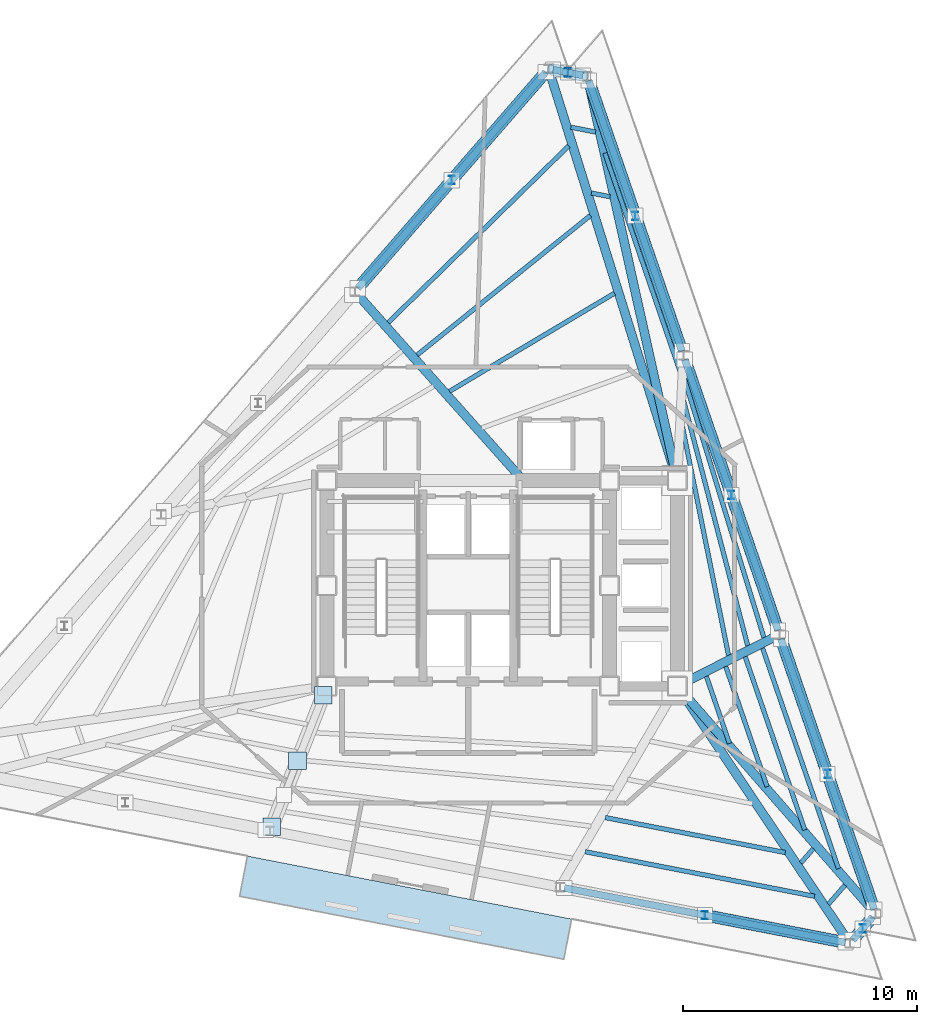
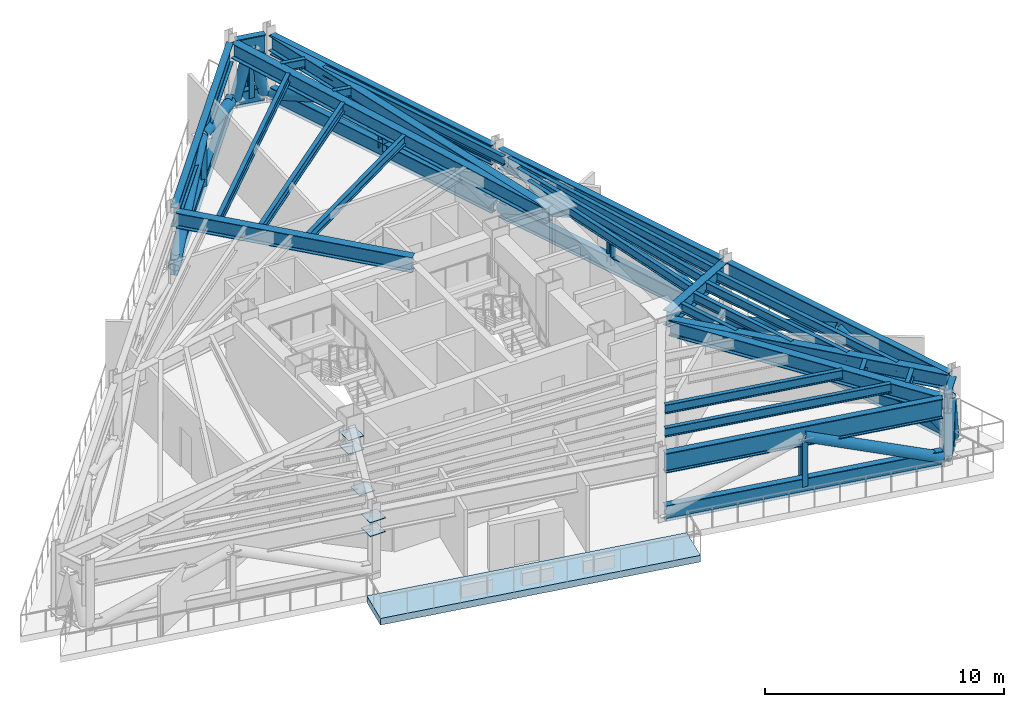
# One storey, part 3 of 8: 30 beams, 27 members, 5 plates, 1 slab.
"""IFC4 building model written with IfcOpenShell, lengths in metres."""

from ifc_helpers import new_model, si_unit, direction, frame, origin, origin_2d, place, context, subcontext, project, spatial, polyline, rectangle, hollow_circle, i_section, outline, extrude, material, layer, layer_set, material_profile, profile_set, type_object, element, save


model = new_model("IFC4")

# Units and contexts
model_context = context("Model", 3, precision=1e-05, world=origin(), true_north=direction((0.0, 1.0)))
body_context = subcontext(model_context, "Body", "Model", "MODEL_VIEW")
ifc_project = project(units=[si_unit("LENGTHUNIT", "METRE"), si_unit("AREAUNIT", "SQUARE_METRE"), si_unit("VOLUMEUNIT", "CUBIC_METRE"), si_unit("PLANEANGLEUNIT", "RADIAN"), si_unit("MASSUNIT", "GRAM", prefix="KILO")], contexts=[model_context])

# Site, building, storey
site_placement = place(None, origin())
site = spatial("IfcSite", under=ifc_project, at=site_placement, CompositionType="ELEMENT")
building_placement = place(site_placement, origin())
building = spatial("IfcBuilding", under=site, at=building_placement, Name="Rocaltana Carrier Exchange", CompositionType="ELEMENT")
storey_placement = place(building_placement, frame((0.0, 0.0, 171.52001953125)))
storey = spatial("IfcBuildingStorey", under=building, at=storey_placement, Name="L54", CompositionType="ELEMENT", Elevation=171.52001953125)

# Members
ifc_material_1 = material(Name="Steel S460", Category="steel")
ifc_material_profile_1 = material_profile(ifc_material_1, i_section(OverallWidth=0.300048828125, OverallDepth=0.800048828125, WebThickness=0.017578125, FlangeThickness=0.032958984375, FilletRadius=0.030029296875, at=origin_2d()), Name="HEB800")
ifc_profile_set_1 = profile_set([ifc_material_profile_1], Name="Steel S460")
member_type_1 = type_object("IfcMemberType", Name="Belt Truss Chord HEB800", PredefinedType="CHORD", material=ifc_profile_set_1)
for number, where, z_axis, x_axis, name in (
    (1, (17.372314453125, -13.859619140625, 0.35009765625), (-0.325560242732, 0.945521299788, 0.0), (-0.945521299788, -0.325560242732, 0.0), "L54 Belt Truss Bottom Chord 1"),
    (2, (13.25927734375, -1.91455078125, 0.35009765625), (-0.325560242732, 0.945521299788, 0.0), (-0.945521299788, -0.325560242732, 0.0), "L54 Belt Truss Bottom Chord 2"),
    (3, (9.146240234375, 10.030517578125, 0.35009765625), (-0.325560242732, 0.945521299788, 0.0), (-0.945521299788, -0.325560242732, 0.0), "L54 Belt Truss Bottom Chord 3"),
):
    element("IfcMember", number, at=place(storey_placement, frame(where, z_axis=z_axis, x_axis=x_axis)), inside=storey, type_object=member_type_1, Name=name, PredefinedType="CHORD", context=body_context, shape_type="SweptSolid", body=[
        extrude(i_section(OverallWidth=0.300048828125, OverallDepth=0.800048828125, WebThickness=0.017578125, FlangeThickness=0.032958984375, FilletRadius=0.030029296875, at=origin_2d()), origin(), (0.0, 0.0, 1.0), 12.254150390625),
    ])
member_1_placement = place(storey_placement, frame((4.908935546875, 21.83251953125, 0.35009765625), z_axis=(-0.9816513714, 0.190684517012, 0.0), x_axis=(-0.190684517012, -0.9816513714, 0.0)))
element("IfcMember", 4, at=member_1_placement, inside=storey, type_object=member_type_1, Name="L54 Belt Truss Bottom Chord 4", PredefinedType="CHORD", context=body_context, shape_type="SweptSolid", body=[
    extrude(i_section(OverallWidth=0.300048828125, OverallDepth=0.800048828125, WebThickness=0.017578125, FlangeThickness=0.032958984375, FilletRadius=0.030029296875, at=origin_2d()), origin(), (0.0, 0.0, 1.0), 1.305908203125),
])
for number, where, z_axis, x_axis, name in (
    (5, (3.316650390625, 21.974853515625, 0.35009765625), (-0.656055395422, -0.754712738821, 0.0), (0.754712738821, -0.656055395422, 0.0), "L54 Belt Truss Bottom Chord 5"),
    (6, (4.11328125, -12.936279296875, 0.35009765625), (0.981629073787, -0.190799270167, 0.0), (0.190799270167, 0.981629073787, 0.0), "L54 Belt Truss Bottom Chord 11"),
):
    element("IfcMember", number, at=place(storey_placement, frame(where, z_axis=z_axis, x_axis=x_axis)), inside=storey, type_object=member_type_1, Name=name, PredefinedType="CHORD", context=body_context, shape_type="SweptSolid", body=[
        extrude(i_section(OverallWidth=0.300048828125, OverallDepth=0.800048828125, WebThickness=0.017578125, FlangeThickness=0.032958984375, FilletRadius=0.030029296875, at=origin_2d()), origin(), (0.0, 0.0, 1.0), 12.25439453125),
    ])
member_2_placement = place(storey_placement, frame((16.452880859375, -15.16748046875, 0.35009765625), z_axis=(0.656132433354, 0.754645764516, 0.0), x_axis=(-0.754645764516, 0.656132433354, 0.0)))
element("IfcMember", 7, at=member_2_placement, inside=storey, type_object=member_type_1, Name="L54 Belt Truss Bottom Chord 12", PredefinedType="CHORD", context=body_context, shape_type="SweptSolid", body=[
    extrude(i_section(OverallWidth=0.300048828125, OverallDepth=0.800048828125, WebThickness=0.017578125, FlangeThickness=0.032958984375, FilletRadius=0.030029296875, at=origin_2d()), origin(), (0.0, 0.0, 1.0), 1.30615234375),
])
ifc_material_2 = material(Name="Steel S460", Category="steel")
ifc_material_profile_2 = material_profile(ifc_material_2, hollow_circle(Radius=0.25390625, WallThickness=0.02001953125, at=origin_2d()), Name="CHS508X20")
ifc_profile_set_2 = profile_set([ifc_material_profile_2], Name="Steel S460")
member_type_2 = type_object("IfcMemberType", Name="Belt Truss Diagonal CHS508", PredefinedType="BRACE", material=ifc_profile_set_2)
member_3_placement = place(storey_placement, frame((17.372314453125, -13.859619140625, 0.35009765625), z_axis=(-0.301665595548, 0.876052247797, 0.376205166887), x_axis=(-0.945513055012, -0.325584186965, 0.0)))
element("IfcMember", 8, at=member_3_placement, inside=storey, type_object=member_type_2, Name="L54 Belt Truss Diagonal 1A", PredefinedType="BRACE", context=body_context, shape_type="SweptSolid", body=[
    extrude(hollow_circle(Radius=0.25390625, WallThickness=0.02001953125, at=origin_2d()), origin(), (0.0, 0.0, 1.0), 6.61279296875),
])
member_4_placement = place(storey_placement, frame((15.37744140625, -8.06640625, 2.837890625), z_axis=(-0.301622280004, 0.876070588066, -0.376197188892), x_axis=(-0.945529543753, -0.325536298882, 0.0)))
element("IfcMember", 9, at=member_4_placement, inside=storey, type_object=member_type_2, Name="L54 Belt Truss Diagonal 1B", PredefinedType="BRACE", context=body_context, shape_type="SweptSolid", body=[
    extrude(hollow_circle(Radius=0.25390625, WallThickness=0.02001953125, at=origin_2d()), origin(), (0.0, 0.0, 1.0), 6.613037109375),
])
member_5_placement = place(storey_placement, frame((13.25927734375, -1.91455078125, 0.35009765625), z_axis=(-0.301665595548, 0.876052247797, 0.376205166887), x_axis=(-0.945513055012, -0.325584186965, 0.0)))
element("IfcMember", 10, at=member_5_placement, inside=storey, type_object=member_type_2, Name="L54 Belt Truss Diagonal 2A", PredefinedType="BRACE", context=body_context, shape_type="SweptSolid", body=[
    extrude(hollow_circle(Radius=0.25390625, WallThickness=0.02001953125, at=origin_2d()), origin(), (0.0, 0.0, 1.0), 6.61279296875),
])
member_6_placement = place(storey_placement, frame((11.264404296875, 3.878662109375, 2.837890625), z_axis=(-0.301622280004, 0.876070588066, -0.376197188892), x_axis=(-0.945529543753, -0.325536298882, 0.0)))
element("IfcMember", 11, at=member_6_placement, inside=storey, type_object=member_type_2, Name="L54 Belt Truss Diagonal 2B", PredefinedType="BRACE", context=body_context, shape_type="SweptSolid", body=[
    extrude(hollow_circle(Radius=0.25390625, WallThickness=0.02001953125, at=origin_2d()), origin(), (0.0, 0.0, 1.0), 6.613037109375),
])
member_7_placement = place(storey_placement, frame((9.146240234375, 10.030517578125, 0.35009765625), z_axis=(-0.301632035645, 0.87606200414, 0.376209356576), x_axis=(-0.945525320951, -0.325548563874, 0.0)))
element("IfcMember", 12, at=member_7_placement, inside=storey, type_object=member_type_2, Name="L54 Belt Truss Diagonal 3A", PredefinedType="BRACE", context=body_context, shape_type="SweptSolid", body=[
    extrude(hollow_circle(Radius=0.25390625, WallThickness=0.02001953125, at=origin_2d()), origin(), (0.0, 0.0, 1.0), 6.61279296875),
])
member_8_placement = place(storey_placement, frame((7.151611328125, 15.82373046875, 2.837890625), z_axis=(-0.301655839039, 0.876060832259, -0.376192999609), x_axis=(-0.945517278684, -0.325571920949, 0.0)))
element("IfcMember", 13, at=member_8_placement, inside=storey, type_object=member_type_2, Name="L54 Belt Truss Diagonal 3B", PredefinedType="BRACE", context=body_context, shape_type="SweptSolid", body=[
    extrude(hollow_circle(Radius=0.25390625, WallThickness=0.02001953125, at=origin_2d()), origin(), (0.0, 0.0, 1.0), 6.613037109375),
])
for number, where, z_axis, x_axis, name in (
    (14, (4.908935546875, 21.83251953125, 0.35009765625), (-0.249168761704, 0.048409930845, 0.967249402577), (-0.190719516861, -0.981644572077, 0.0), "L54 Belt Truss Diagonal 4A"),
    (15, (4.26806640625, 21.95703125, 2.837890625), (-0.249257786774, 0.048408785703, -0.967226522175), (-0.190649529764, -0.981658166981, 0.0), "L54 Belt Truss Diagonal 4B"),
):
    element("IfcMember", number, at=place(storey_placement, frame(where, z_axis=z_axis, x_axis=x_axis)), inside=storey, type_object=member_type_2, Name=name, PredefinedType="BRACE", context=body_context, shape_type="SweptSolid", body=[
        extrude(hollow_circle(Radius=0.25390625, WallThickness=0.02001953125, at=origin_2d()), origin(), (0.0, 0.0, 1.0), 2.572021484375),
    ])
for number, where, z_axis, x_axis, name in (
    (16, (3.316650390625, 21.974853515625, 0.35009765625), (-0.607861039895, -0.699270935721, 0.376198238477), (0.754712738821, -0.656055395422, 0.0), "L54 Belt Truss Diagonal 5A"),
    (17, (-0.703125, 17.3505859375, 2.837890625), (-0.607861039895, -0.699270935721, -0.376198238477), (0.754712738821, -0.656055395422, 0.0), "L54 Belt Truss Diagonal 5B"),
    (18, (10.1279296875, -14.105224609375, 2.837890625), (0.909515308676, -0.176800974722, -0.376195851413), (0.190818467441, 0.981625342217, 0.0), "L54 Belt Truss Diagonal 11B"),
):
    element("IfcMember", number, at=place(storey_placement, frame(where, z_axis=z_axis, x_axis=x_axis)), inside=storey, type_object=member_type_2, Name=name, PredefinedType="BRACE", context=body_context, shape_type="SweptSolid", body=[
        extrude(hollow_circle(Radius=0.25390625, WallThickness=0.02001953125, at=origin_2d()), origin(), (0.0, 0.0, 1.0), 6.613037109375),
    ])
for number, where, z_axis, x_axis, name in (
    (19, (16.452880859375, -15.16748046875, 0.35009765625), (0.166585896199, 0.191550050445, 0.967242326081), (-0.754565271295, 0.656225000556, 0.0), "L54 Belt Truss Diagonal 12A"),
    (20, (16.88134765625, -14.6748046875, 2.837890625), (0.166582866655, 0.191641485912, -0.967224735733), (-0.754726223678, 0.656039882395, 0.0), "L54 Belt Truss Diagonal 12B"),
):
    element("IfcMember", number, at=place(storey_placement, frame(where, z_axis=z_axis, x_axis=x_axis)), inside=storey, type_object=member_type_2, Name=name, PredefinedType="BRACE", context=body_context, shape_type="SweptSolid", body=[
        extrude(hollow_circle(Radius=0.25390625, WallThickness=0.02001953125, at=origin_2d()), origin(), (0.0, 0.0, 1.0), 2.572021484375),
    ])
ifc_material_3 = material(Name="Steel S460", Category="steel")
ifc_material_profile_3 = material_profile(ifc_material_3, i_section(OverallWidth=0.257080078125, OverallDepth=0.363037109375, WebThickness=0.012939453125, FlangeThickness=0.021728515625, FilletRadius=0.014892578125, at=origin_2d()), Name="W14X82")
ifc_profile_set_3 = profile_set([ifc_material_profile_3], Name="Steel S460")
member_type_3 = type_object("IfcMemberType", Name="Belt Truss Post W14X82", PredefinedType="POST", material=ifc_profile_set_3)
for number, where, z_axis, x_axis, name in (
    (21, (15.37744140625, -8.06640625, 0.35009765625), (0.0, 0.0, 1.0), (1.0, 0.0, 0.0), "L54 Belt Truss Post 1"),
    (22, (11.264404296875, 3.878662109375, 0.35009765625), (0.0, 0.0, 1.0), (1.0, 0.0, 0.0), "L54 Belt Truss Post 2"),
    (23, (7.151611328125, 15.82373046875, 0.35009765625), (0.0, 0.0, 1.0), (1.0, 0.0, 0.0), "L54 Belt Truss Post 3"),
    (24, (4.26806640625, 21.95703125, 0.35009765625), (0.0, 0.0, 1.0), (1.0, 0.0, 0.0), "L54 Belt Truss Post 4"),
    (25, (-0.703125, 17.3505859375, 0.35009765625), (0.0, 0.0, 1.0), (1.0, 0.0, 0.0), "L54 Belt Truss Post 5"),
    (26, (10.1279296875, -14.105224609375, 0.35009765625), (0.0, 0.0, 1.0), (1.0, 0.0, 0.0), "L54 Belt Truss Post 11"),
    (27, (16.88134765625, -14.6748046875, 0.35009765625), (0.0, 0.0, 1.0), (1.0, 0.0, 0.0), "L54 Belt Truss Post 12"),
):
    element("IfcMember", number, at=place(storey_placement, frame(where, z_axis=z_axis, x_axis=x_axis)), inside=storey, type_object=member_type_3, Name=name, PredefinedType="POST", context=body_context, shape_type="SweptSolid", body=[
        extrude(i_section(OverallWidth=0.257080078125, OverallDepth=0.363037109375, WebThickness=0.012939453125, FlangeThickness=0.021728515625, FilletRadius=0.014892578125, at=origin_2d()), origin(), (0.0, 0.0, 1.0), 2.48779296875),
    ])

# Beams
ifc_material_4 = material(Name="Steel S355", Category="steel")
ifc_material_profile_4 = material_profile(ifc_material_4, i_section(OverallWidth=0.193115234375, OverallDepth=0.466064453125, WebThickness=0.011474609375, FlangeThickness=0.01904296875, FilletRadius=0.013916015625, at=origin_2d()), Name="W18X65")
ifc_profile_set_4 = profile_set([ifc_material_profile_4], Name="Steel S355")
beam_type_1 = type_object("IfcBeamType", Name="Floor Joist W18X65", PredefinedType="JOIST", material=ifc_profile_set_4)
beam_1_placement = place(storey_placement, frame((11.1806640625, -6.755126953125, 3.18505859375), z_axis=(-0.325602335129, 0.945506805559, 0.0), x_axis=(-0.945506805559, -0.325602335129, 0.0)))
element("IfcBeam", 28, at=beam_1_placement, inside=storey, type_object=beam_type_1, Name="FJ-L54-01-1", PredefinedType="JOIST", context=body_context, shape_type="SweptSolid", body=[
    extrude(i_section(OverallWidth=0.193115234375, OverallDepth=0.466064453125, WebThickness=0.011474609375, FlangeThickness=0.01904296875, FilletRadius=0.013916015625, at=origin_2d()), origin(), (0.0, 0.0, 1.0), 3.0419921875),
])
beam_2_placement = place(storey_placement, frame((12.79248046875, -8.60546875, 3.18505859375), z_axis=(-0.325552388729, 0.945524004028, 0.0), x_axis=(-0.945524004028, -0.325552388729, 0.0)))
element("IfcBeam", 29, at=beam_2_placement, inside=storey, type_object=beam_type_1, Name="FJ-L54-01-2", PredefinedType="JOIST", context=body_context, shape_type="SweptSolid", body=[
    extrude(i_section(OverallWidth=0.193115234375, OverallDepth=0.466064453125, WebThickness=0.011474609375, FlangeThickness=0.01904296875, FilletRadius=0.013916015625, at=origin_2d()), origin(), (0.0, 0.0, 1.0), 5.442138671875),
])
beam_3_placement = place(storey_placement, frame((14.404541015625, -10.455810546875, 3.18505859375), z_axis=(-0.325551263743, 0.94552439137, 0.0), x_axis=(-0.94552439137, -0.325551263743, 0.0)))
element("IfcBeam", 30, at=beam_3_placement, inside=storey, type_object=beam_type_1, Name="FJ-L54-01-3", PredefinedType="JOIST", context=body_context, shape_type="SweptSolid", body=[
    extrude(i_section(OverallWidth=0.193115234375, OverallDepth=0.466064453125, WebThickness=0.011474609375, FlangeThickness=0.01904296875, FilletRadius=0.013916015625, at=origin_2d()), origin(), (0.0, 0.0, 1.0), 7.8427734375),
])
beam_4_placement = place(storey_placement, frame((15.8466796875, -12.111328125, 3.18505859375), z_axis=(-0.325559859263, 0.945521431823, 0.0), x_axis=(-0.945521431823, -0.325559859263, 0.0)))
element("IfcBeam", 31, at=beam_4_placement, inside=storey, type_object=beam_type_1, Name="FJ-L54-01-4", PredefinedType="JOIST", context=body_context, shape_type="SweptSolid", body=[
    extrude(i_section(OverallWidth=0.193115234375, OverallDepth=0.466064453125, WebThickness=0.011474609375, FlangeThickness=0.01904296875, FilletRadius=0.013916015625, at=origin_2d()), origin(), (0.0, 0.0, 1.0), 9.990234375),
])
beam_5_placement = place(storey_placement, frame((11.142578125, -2.993896484375, 3.18505859375), z_axis=(-0.197637470523, 0.980275180878, 0.0), x_axis=(-0.980275180878, -0.197637470523, 0.0)))
element("IfcBeam", 32, at=beam_5_placement, inside=storey, type_object=beam_type_1, Name="FJ-L54-02-2", PredefinedType="JOIST", context=body_context, shape_type="SweptSolid", body=[
    extrude(i_section(OverallWidth=0.193115234375, OverallDepth=0.466064453125, WebThickness=0.011474609375, FlangeThickness=0.01904296875, FilletRadius=0.013916015625, at=origin_2d()), origin(), (0.0, 0.0, 1.0), 10.244384765625),
])
beam_6_placement = place(storey_placement, frame((11.962890625, -2.5771484375, 3.18505859375), z_axis=(-0.253171519958, 0.967421408427, 0.0), x_axis=(-0.967421408427, -0.253171519958, 0.0)))
element("IfcBeam", 33, at=beam_6_placement, inside=storey, type_object=beam_type_1, Name="FJ-L54-02-3", PredefinedType="JOIST", context=body_context, shape_type="SweptSolid", body=[
    extrude(i_section(OverallWidth=0.193115234375, OverallDepth=0.466064453125, WebThickness=0.011474609375, FlangeThickness=0.01904296875, FilletRadius=0.013916015625, at=origin_2d()), origin(), (0.0, 0.0, 1.0), 11.0029296875),
])
beam_7_placement = place(storey_placement, frame((12.65478515625, -2.226318359375, 3.18505859375), z_axis=(-0.293874100792, 0.955844136292, 0.0), x_axis=(-0.955844136292, -0.293874100792, 0.0)))
element("IfcBeam", 34, at=beam_7_placement, inside=storey, type_object=beam_type_1, Name="FJ-L54-02-4", PredefinedType="JOIST", context=body_context, shape_type="SweptSolid", body=[
    extrude(i_section(OverallWidth=0.193115234375, OverallDepth=0.466064453125, WebThickness=0.011474609375, FlangeThickness=0.01904296875, FilletRadius=0.013916015625, at=origin_2d()), origin(), (0.0, 0.0, 1.0), 11.667236328125),
])
beam_8_placement = place(storey_placement, frame((9.1015625, 9.0625, 3.18505859375), z_axis=(-0.325559859263, 0.945521431823, 0.0), x_axis=(-0.945521431823, -0.325559859263, 0.0)))
element("IfcBeam", 35, at=beam_8_placement, inside=storey, type_object=beam_type_1, Name="FJ-L54-03-4", PredefinedType="JOIST", context=body_context, shape_type="SweptSolid", body=[
    extrude(i_section(OverallWidth=0.193115234375, OverallDepth=0.466064453125, WebThickness=0.011474609375, FlangeThickness=0.01904296875, FilletRadius=0.013916015625, at=origin_2d()), origin(), (0.0, 0.0, 1.0), 9.990234375),
])
beam_9_placement = place(storey_placement, frame((6.0703125, 16.642578125, 3.18505859375), z_axis=(-0.98158715445, 0.191014811517, 0.0), x_axis=(-0.191014811517, -0.98158715445, 0.0)))
element("IfcBeam", 36, at=beam_9_placement, inside=storey, type_object=beam_type_1, Name="FJ-L54-04-3", PredefinedType="JOIST", context=body_context, shape_type="SweptSolid", body=[
    extrude(i_section(OverallWidth=0.193115234375, OverallDepth=0.466064453125, WebThickness=0.011474609375, FlangeThickness=0.01904296875, FilletRadius=0.013916015625, at=origin_2d()), origin(), (0.0, 0.0, 1.0), 0.810302734375),
])
beam_10_placement = place(storey_placement, frame((5.45361328125, 19.409912109375, 3.18505859375), z_axis=(-0.981593033275, 0.190984598922, 0.0), x_axis=(-0.190984598922, -0.981593033275, 0.0)))
element("IfcBeam", 37, at=beam_10_placement, inside=storey, type_object=beam_type_1, Name="FJ-L54-04-4", PredefinedType="JOIST", context=body_context, shape_type="SweptSolid", body=[
    extrude(i_section(OverallWidth=0.193115234375, OverallDepth=0.466064453125, WebThickness=0.011474609375, FlangeThickness=0.01904296875, FilletRadius=0.013916015625, at=origin_2d()), origin(), (0.0, 0.0, 1.0), 1.080078125),
])
beam_11_placement = place(storey_placement, frame((6.25732421875, 12.510009765625, 3.18505859375), z_axis=(-0.859532005788, -0.51108192203, 0.0), x_axis=(0.51108192203, -0.859532005788, 0.0)))
element("IfcBeam", 38, at=beam_11_placement, inside=storey, type_object=beam_type_1, Name="FJ-L54-05-2", PredefinedType="JOIST", context=body_context, shape_type="SweptSolid", body=[
    extrude(i_section(OverallWidth=0.193115234375, OverallDepth=0.466064453125, WebThickness=0.011474609375, FlangeThickness=0.01904296875, FilletRadius=0.013916015625, at=origin_2d()), origin(), (0.0, 0.0, 1.0), 8.212890625),
])
beam_12_placement = place(storey_placement, frame((5.225341796875, 15.8359375, 3.18505859375), z_axis=(-0.778909558727, -0.627136268545, 0.0), x_axis=(0.627136268545, -0.778909558727, 0.0)))
element("IfcBeam", 39, at=beam_12_placement, inside=storey, type_object=beam_type_1, Name="FJ-L54-05-3", PredefinedType="JOIST", context=body_context, shape_type="SweptSolid", body=[
    extrude(i_section(OverallWidth=0.193115234375, OverallDepth=0.466064453125, WebThickness=0.011474609375, FlangeThickness=0.01904296875, FilletRadius=0.013916015625, at=origin_2d()), origin(), (0.0, 0.0, 1.0), 9.51318359375),
])
beam_13_placement = place(storey_placement, frame((4.30078125, 18.8173828125, 3.18505859375), z_axis=(-0.714501014502, -0.699634404726, 0.0), x_axis=(0.699634404726, -0.714501014502, 0.0)))
element("IfcBeam", 40, at=beam_13_placement, inside=storey, type_object=beam_type_1, Name="FJ-L54-05-4", PredefinedType="JOIST", context=body_context, shape_type="SweptSolid", body=[
    extrude(i_section(OverallWidth=0.193115234375, OverallDepth=0.466064453125, WebThickness=0.011474609375, FlangeThickness=0.01904296875, FilletRadius=0.013916015625, at=origin_2d()), origin(), (0.0, 0.0, 1.0), 10.8056640625),
])
beam_14_placement = place(storey_placement, frame((5.866455078125, -9.92529296875, 3.18505859375), z_axis=(0.981629482389, -0.190797167969, 0.0), x_axis=(0.190797167969, 0.981629482389, 0.0)))
element("IfcBeam", 41, at=beam_14_placement, inside=storey, type_object=beam_type_1, Name="FJ-L54-11-3", PredefinedType="JOIST", context=body_context, shape_type="SweptSolid", body=[
    extrude(i_section(OverallWidth=0.193115234375, OverallDepth=0.466064453125, WebThickness=0.011474609375, FlangeThickness=0.01904296875, FilletRadius=0.013916015625, at=origin_2d()), origin(), (0.0, 0.0, 1.0), 7.842529296875),
])
beam_15_placement = place(storey_placement, frame((5.0126953125, -11.38720703125, 3.18505859375), z_axis=(0.981626580415, -0.190812097687, 0.0), x_axis=(0.190812097687, 0.981626580415, 0.0)))
element("IfcBeam", 42, at=beam_15_placement, inside=storey, type_object=beam_type_1, Name="FJ-L54-11-4", PredefinedType="JOIST", context=body_context, shape_type="SweptSolid", body=[
    extrude(i_section(OverallWidth=0.193115234375, OverallDepth=0.466064453125, WebThickness=0.011474609375, FlangeThickness=0.01904296875, FilletRadius=0.013916015625, at=origin_2d()), origin(), (0.0, 0.0, 1.0), 9.990234375),
])
beam_16_placement = place(storey_placement, frame((14.236083984375, -11.8681640625, 3.18505859375), z_axis=(0.656133963258, 0.754644434326, 0.0), x_axis=(-0.754644434326, 0.656133963258, 0.0)))
element("IfcBeam", 43, at=beam_16_placement, inside=storey, type_object=beam_type_1, Name="FJ-L54-12-3", PredefinedType="JOIST", context=body_context, shape_type="SweptSolid", body=[
    extrude(i_section(OverallWidth=0.193115234375, OverallDepth=0.466064453125, WebThickness=0.011474609375, FlangeThickness=0.01904296875, FilletRadius=0.013916015625, at=origin_2d()), origin(), (0.0, 0.0, 1.0), 0.810302734375),
])
beam_17_placement = place(storey_placement, frame((15.41650390625, -13.6298828125, 3.18505859375), z_axis=(0.656117161167, 0.754659042762, 0.0), x_axis=(-0.754659042762, 0.656117161167, 0.0)))
element("IfcBeam", 44, at=beam_17_placement, inside=storey, type_object=beam_type_1, Name="FJ-L54-12-4", PredefinedType="JOIST", context=body_context, shape_type="SweptSolid", body=[
    extrude(i_section(OverallWidth=0.193115234375, OverallDepth=0.466064453125, WebThickness=0.011474609375, FlangeThickness=0.01904296875, FilletRadius=0.013916015625, at=origin_2d()), origin(), (0.0, 0.0, 1.0), 1.080322265625),
])
ifc_material_5 = material(Name="Steel S355", Category="steel")
ifc_material_profile_5 = material_profile(ifc_material_5, i_section(OverallWidth=0.381103515625, OverallDepth=0.77294921875, WebThickness=0.0166015625, FlangeThickness=0.027099609375, FilletRadius=0.01904296875, at=origin_2d()), Name="W30X173")
ifc_profile_set_5 = profile_set([ifc_material_profile_5], Name="Steel S355")
beam_type_2 = type_object("IfcBeamType", Name="Plant Floor Girder W30X173", PredefinedType="BEAM", material=ifc_profile_set_5)
beam_18_placement = place(storey_placement, frame((9.223876953125, -4.614501953125, 3.031494140625), z_axis=(0.656870571987, -0.754003349898, 0.0), x_axis=(0.754003349898, 0.656870571987, 0.0)))
element("IfcBeam", 45, at=beam_18_placement, inside=storey, type_object=beam_type_2, Name="RG-L54-01", PredefinedType="BEAM", context=body_context, shape_type="SweptSolid", body=[
    extrude(i_section(OverallWidth=0.381103515625, OverallDepth=0.77294921875, WebThickness=0.0166015625, FlangeThickness=0.027099609375, FilletRadius=0.01904296875, at=origin_2d()), origin(), (0.0, 0.0, 1.0), 12.3134765625),
])
beam_19_placement = place(storey_placement, frame((9.322265625, -4.112060546875, 3.031494140625), z_axis=(0.892749276304, 0.450553803289, 0.0), x_axis=(-0.450553803289, 0.892749276304, 0.0)))
element("IfcBeam", 46, at=beam_19_placement, inside=storey, type_object=beam_type_2, Name="RG-L54-02", PredefinedType="BEAM", context=body_context, shape_type="SweptSolid", body=[
    extrude(i_section(OverallWidth=0.381103515625, OverallDepth=0.77294921875, WebThickness=0.0166015625, FlangeThickness=0.027099609375, FilletRadius=0.01904296875, at=origin_2d()), origin(), (0.0, 0.0, 1.0), 4.293701171875),
])
beam_20_placement = place(storey_placement, frame((8.859375, 4.906982421875, 3.031494140625), z_axis=(-0.21753898555, 0.976051632736, 0.0), x_axis=(-0.976051632736, -0.21753898555, 0.0)))
element("IfcBeam", 47, at=beam_20_placement, inside=storey, type_object=beam_type_2, Name="RG-L54-04", PredefinedType="BEAM", context=body_context, shape_type="SweptSolid", body=[
    extrude(i_section(OverallWidth=0.381103515625, OverallDepth=0.77294921875, WebThickness=0.0166015625, FlangeThickness=0.027099609375, FilletRadius=0.01904296875, at=origin_2d()), origin(), (0.0, 0.0, 1.0), 17.1181640625),
])
beam_21_placement = place(storey_placement, frame((8.825439453125, 4.89794921875, 3.031494140625), z_axis=(-0.298436914473, 0.954429362541, 0.0), x_axis=(-0.954429362541, -0.298436914473, 0.0)))
element("IfcBeam", 48, at=beam_21_placement, inside=storey, type_object=beam_type_2, Name="RG-L54-05", PredefinedType="BEAM", context=body_context, shape_type="SweptSolid", body=[
    extrude(i_section(OverallWidth=0.381103515625, OverallDepth=0.77294921875, WebThickness=0.0166015625, FlangeThickness=0.027099609375, FilletRadius=0.01904296875, at=origin_2d()), origin(), (0.0, 0.0, 1.0), 17.856689453125),
])
beam_22_placement = place(storey_placement, frame((2.189208984375, 4.6806640625, 3.031494140625), z_axis=(-0.664987485629, 0.746854499857, 0.0), x_axis=(-0.746854499857, -0.664987485629, 0.0)))
element("IfcBeam", 49, at=beam_22_placement, inside=storey, type_object=beam_type_2, Name="RG-L54-06", PredefinedType="BEAM", context=body_context, shape_type="SweptSolid", body=[
    extrude(i_section(OverallWidth=0.381103515625, OverallDepth=0.77294921875, WebThickness=0.0166015625, FlangeThickness=0.027099609375, FilletRadius=0.01904296875, at=origin_2d()), origin(), (0.0, 0.0, 1.0), 10.395751953125),
])
beam_23_placement = place(storey_placement, frame((9.18212890625, -4.646484375, 3.031494140625), z_axis=(0.556698056757, -0.830714917166, 0.0), x_axis=(0.830714917166, 0.556698056757, 0.0)))
element("IfcBeam", 50, at=beam_23_placement, inside=storey, type_object=beam_type_2, Name="RG-L54-12", PredefinedType="BEAM", context=body_context, shape_type="SweptSolid", body=[
    extrude(i_section(OverallWidth=0.381103515625, OverallDepth=0.77294921875, WebThickness=0.0166015625, FlangeThickness=0.027099609375, FilletRadius=0.01904296875, at=origin_2d()), origin(), (0.0, 0.0, 1.0), 12.65185546875),
])
ifc_material_6 = material(Name="Steel S460", Category="steel")
ifc_material_profile_6 = material_profile(ifc_material_6, i_section(OverallWidth=0.302001953125, OverallDepth=1.008056640625, WebThickness=0.02099609375, FlangeThickness=0.0400390625, FilletRadius=0.030029296875, at=origin_2d()), Name="HEM1000")
ifc_profile_set_6 = profile_set([ifc_material_profile_6], Name="Steel S460")
beam_type_3 = type_object("IfcBeamType", Name="Transfer Ring Girder HEM1000", PredefinedType="USERDEFINED", material=ifc_profile_set_6)
for number, where, z_axis, x_axis, name in (
    (51, (17.37353515625, -13.863525390625, 2.9140625), (-0.325566047792, 0.94551930098, 0.0), (-0.94551930098, -0.325566047792, 0.0), "SP-L54-01"),
    (52, (13.260498046875, -1.91845703125, 2.9140625), (-0.325566047792, 0.94551930098, 0.0), (-0.94551930098, -0.325566047792, 0.0), "SP-L54-02"),
    (53, (9.147705078125, 10.026611328125, 2.9140625), (-0.325566047792, 0.94551930098, 0.0), (-0.94551930098, -0.325566047792, 0.0), "SP-L54-03"),
):
    element("IfcBeam", number, at=place(storey_placement, frame(where, z_axis=z_axis, x_axis=x_axis)), inside=storey, type_object=beam_type_3, Name=name, ObjectType="TRANSFER GIRDER", PredefinedType="USERDEFINED", context=body_context, shape_type="SweptSolid", body=[
        extrude(i_section(OverallWidth=0.302001953125, OverallDepth=1.008056640625, WebThickness=0.02099609375, FlangeThickness=0.0400390625, FilletRadius=0.030029296875, at=origin_2d()), origin(), (0.0, 0.0, 1.0), 12.26220703125),
    ])
beam_24_placement = place(storey_placement, frame((4.912841796875, 21.831787109375, 2.9140625), z_axis=(-0.981624091926, 0.190824899188, 0.0), x_axis=(-0.190824899188, -0.981624091926, 0.0)))
element("IfcBeam", 54, at=beam_24_placement, inside=storey, type_object=beam_type_3, Name="SP-L54-04", ObjectType="TRANSFER GIRDER", PredefinedType="USERDEFINED", context=body_context, shape_type="SweptSolid", body=[
    extrude(i_section(OverallWidth=0.302001953125, OverallDepth=1.008056640625, WebThickness=0.02099609375, FlangeThickness=0.0400390625, FilletRadius=0.030029296875, at=origin_2d()), origin(), (0.0, 0.0, 1.0), 1.31396484375),
])
for number, where, z_axis, x_axis, name in (
    (55, (3.3193359375, 21.977783203125, 2.9140625), (-0.65606829307, -0.754701526982, 0.0), (0.754701526982, -0.65606829307, 0.0), "SP-L54-05"),
    (56, (4.109619140625, -12.935302734375, 2.9140625), (0.981625439555, -0.19081796671, 0.0), (0.19081796671, 0.981625439555, 0.0), "SP-L54-11"),
):
    element("IfcBeam", number, at=place(storey_placement, frame(where, z_axis=z_axis, x_axis=x_axis)), inside=storey, type_object=beam_type_3, Name=name, ObjectType="TRANSFER GIRDER", PredefinedType="USERDEFINED", context=body_context, shape_type="SweptSolid", body=[
        extrude(i_section(OverallWidth=0.302001953125, OverallDepth=1.008056640625, WebThickness=0.02099609375, FlangeThickness=0.0400390625, FilletRadius=0.030029296875, at=origin_2d()), origin(), (0.0, 0.0, 1.0), 12.26220703125),
    ])
beam_25_placement = place(storey_placement, frame((16.4501953125, -15.17041015625, 2.9140625), z_axis=(0.656146510071, 0.754633525177, 0.0), x_axis=(-0.754633525177, 0.656146510071, 0.0)))
element("IfcBeam", 57, at=beam_25_placement, inside=storey, type_object=beam_type_3, Name="SP-L54-12", ObjectType="TRANSFER GIRDER", PredefinedType="USERDEFINED", context=body_context, shape_type="SweptSolid", body=[
    extrude(i_section(OverallWidth=0.302001953125, OverallDepth=1.008056640625, WebThickness=0.02099609375, FlangeThickness=0.0400390625, FilletRadius=0.030029296875, at=origin_2d()), origin(), (0.0, 0.0, 1.0), 1.313720703125),
])

# Plates
ifc_material_7 = material(Name="Steel S460", Category="steel")
ifc_layer_1 = layer(ifc_material_7, 0.035888671875)
ifc_layer_set_1 = layer_set([ifc_layer_1], Name="Steel S460")
plate_type = type_object("IfcPlateType", Name="Outrigger Node Gusset Plate 750x750x36", PredefinedType="USERDEFINED", material=ifc_layer_set_1)
for number, where, z_axis, x_axis, name in (
    (58, (-6.20361328125, -4.69189453125, 2.22216796875), (0.0, 0.0, 1.0), (1.0, 0.0, 0.0), "L54 Outrigger Bottom Chord 10 node plate C0"),
    (59, (-8.40478515625, -10.31298828125, 2.22216796875), (0.0, 0.0, 1.0), (1.0, 0.0, 0.0), "L54 Outrigger Bottom Chord 10 node plate C1"),
    (60, (-6.20361328125, -4.69189453125, 2.919921875), (0.0, 0.0, 1.0), (1.0, 0.0, 0.0), "L54 Outrigger Top Chord 10 node plate C0"),
    (61, (-8.40478515625, -10.31298828125, 2.919921875), (0.0, 0.0, 1.0), (1.0, 0.0, 0.0), "L54 Outrigger Top Chord 10 node plate C1"),
    (62, (-7.30419921875, -7.50244140625, 2.22216796875), (0.0, 0.0, 1.0), (1.0, 0.0, 0.0), "L54 Outrigger Inner Diagonal 10 node plate C1"),
):
    element("IfcPlate", number, at=place(storey_placement, frame(where, z_axis=z_axis, x_axis=x_axis)), inside=storey, type_object=plate_type, Name=name, ObjectType="GUSSET PLATE", PredefinedType="USERDEFINED", context=body_context, shape_type="SweptSolid", body=[
        extrude(rectangle(XDim=0.75, YDim=0.75, at=origin_2d()), origin(), (0.0, 0.0, 1.0), 0.035888671875),
    ])

# Slab
ifc_material_8 = material(Name="Concrete C50/60", Category="concrete")
ifc_layer_2 = layer(ifc_material_8, 0.340087890625)
ifc_layer_set_2 = layer_set([ifc_layer_2], Name="Concrete C50/60")
slab_type = type_object("IfcSlabType", Name="Sky Garden Deck Slab 340", PredefinedType="FLOOR", material=ifc_layer_set_2)
slab_placement = place(storey_placement, frame((0.0, 0.0, -0.340087890625)))
element("IfcSlab", 63, at=slab_placement, inside=storey, type_object=slab_type, Name="L54 Sky Garden Terrace Deck", PredefinedType="FLOOR", context=body_context, shape_type="SweptSolid", body=[
    extrude(outline(polyline([(-9.448486328125, -11.573486328125), (-9.782470703125, -13.291259765625), (4.09130859375, -15.988037109375), (4.425048828125, -14.27001953125), (-9.448486328125, -11.573486328125)])), origin(), (0.0, 0.0, 1.0), 0.340087890625),
])

save(model, "model.ifc")
